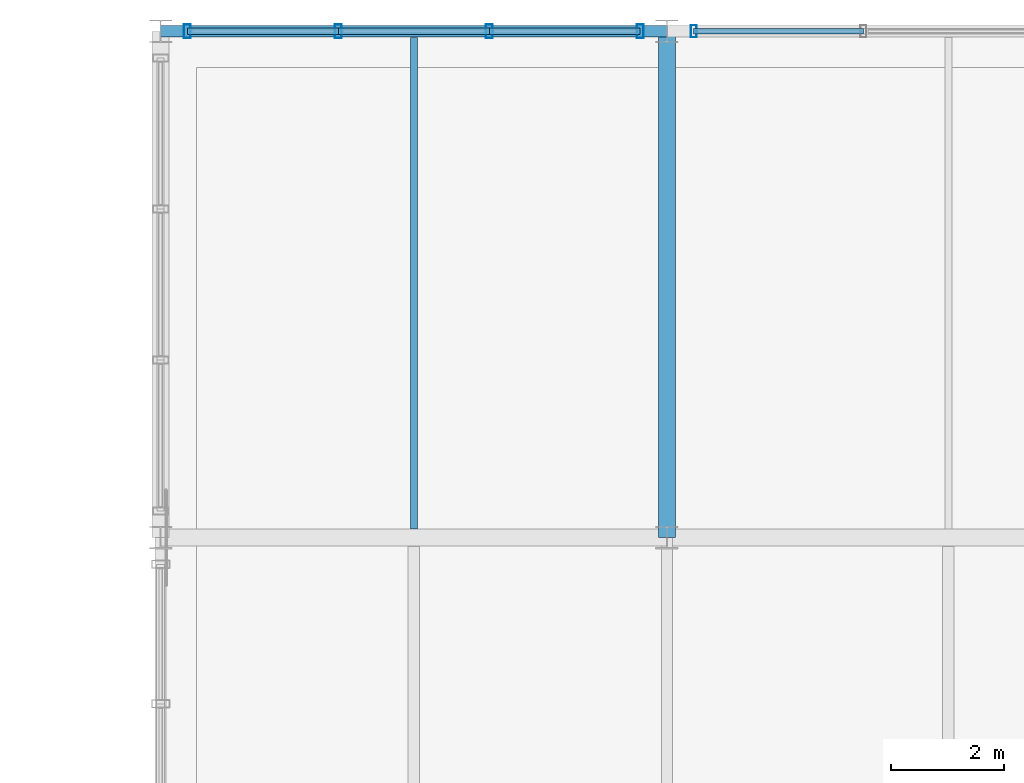
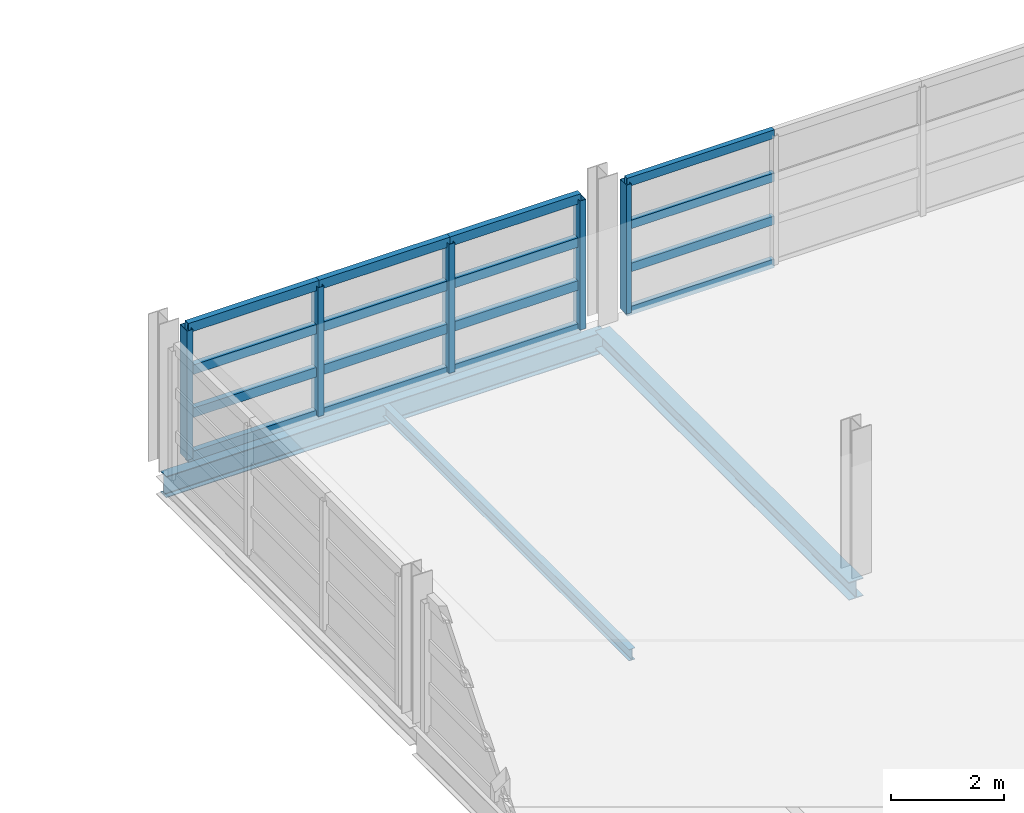
# One storey, part 30 of 86: 21 members, 3 beams, 2 elements without a shape of their own.
"""IFC4 building model written with IfcOpenShell, lengths in metres."""

from ifc_helpers import new_model, si_unit, direction, frame, origin, origin_2d, place, context, subcontext, project, spatial, hollow_rectangle, i_section, extrude, material, material_profile, profile_set, type_object, element, aggregate, save


model = new_model("IFC4")

# Units and contexts
model_context = context("Model", 3, precision=1e-05, world=origin(), true_north=direction((0.0, 1.0)))
body_context = subcontext(model_context, "Body", "Model", "MODEL_VIEW")
ifc_project = project(units=[si_unit("LENGTHUNIT", "METRE"), si_unit("AREAUNIT", "SQUARE_METRE"), si_unit("VOLUMEUNIT", "CUBIC_METRE"), si_unit("PLANEANGLEUNIT", "RADIAN"), si_unit("MASSUNIT", "GRAM", prefix="KILO")], contexts=[model_context])

# Site, building, storey
site_placement = place(None, origin())
site = spatial("IfcSite", under=ifc_project, at=site_placement, CompositionType="ELEMENT")
building_placement = place(site_placement, origin())
building = spatial("IfcBuilding", under=site, at=building_placement, Name="Chuanluo Vaults Station", CompositionType="ELEMENT")
storey_placement = place(building_placement, frame((0.0, 0.0, 14.39990234375)))
storey = spatial("IfcBuildingStorey", under=building, at=storey_placement, Name="L03", CompositionType="ELEMENT", Elevation=14.39990234375)

# Beams
ifc_material_1 = material(Name="Steel Q355C", Category="steel")
ifc_material_profile_1 = material_profile(ifc_material_1, i_section(OverallWidth=0.300048828125, OverallDepth=0.389892578125, WebThickness=0.010009765625, FlangeThickness=0.01611328125, FilletRadius=0.02001953125, at=origin_2d()))
ifc_profile_set_1 = profile_set([ifc_material_profile_1], Name="Steel Q355C")
beam_type_1 = type_object("IfcBeamType", Name="BM-GRD-400", PredefinedType="BEAM", material=ifc_profile_set_1)
beam_1_placement = place(storey_placement, frame((126.0, 117.0, -0.414794921875), z_axis=(0.0, 1.0, 0.0), x_axis=(-1.0, 0.0, 0.0)))
element("IfcBeam", 1, at=beam_1_placement, inside=storey, type_object=beam_type_1, Name="Floor girder BM:GY:L03:0779", PredefinedType="BEAM", context=body_context, shape_type="SweptSolid", body=[
    extrude(i_section(OverallWidth=0.300048828125, OverallDepth=0.389892578125, WebThickness=0.010009765625, FlangeThickness=0.01611328125, FilletRadius=0.02001953125, at=origin_2d()), origin(), (0.0, 0.0, 1.0), 9.0),
])
ifc_material_2 = material(Name="Steel Q355C", Category="steel")
ifc_material_profile_2 = material_profile(ifc_material_2, i_section(OverallWidth=0.125, OverallDepth=0.25, WebThickness=0.006103515625, FlangeThickness=0.009033203125, FilletRadius=0.011962890625, at=origin_2d()))
ifc_profile_set_2 = profile_set([ifc_material_profile_2], Name="Steel Q355C")
beam_type_2 = type_object("IfcBeamType", Name="BM-SEC-250", PredefinedType="JOIST", material=ifc_profile_set_2)
beam_2_placement = place(storey_placement, frame((121.5, 117.155029296875, -0.344970703125), z_axis=(0.0, 1.0, 0.0), x_axis=(-1.0, 0.0, 0.0)))
element("IfcBeam", 2, at=beam_2_placement, inside=storey, type_object=beam_type_2, Name="Composite secondary joist 0229", PredefinedType="JOIST", context=body_context, shape_type="SweptSolid", body=[
    extrude(i_section(OverallWidth=0.125, OverallDepth=0.25, WebThickness=0.006103515625, FlangeThickness=0.009033203125, FilletRadius=0.011962890625, at=origin_2d()), origin(), (0.0, 0.0, 1.0), 8.737548828125),
])
ifc_material_3 = material(Name="Steel Q355C", Category="steel")
ifc_material_profile_3 = material_profile(ifc_material_3, i_section(OverallWidth=0.205078125, OverallDepth=0.4599609375, WebThickness=0.009033203125, FlangeThickness=0.013916015625, FilletRadius=0.01611328125, at=origin_2d()))
ifc_profile_set_3 = profile_set([ifc_material_profile_3], Name="Steel Q355C")
beam_type_3 = type_object("IfcBeamType", Name="BM-SPN-450", PredefinedType="SPANDREL", material=ifc_profile_set_3)
beam_3_placement = place(storey_placement, frame((117.0, 126.0, -0.449951171875), z_axis=(1.0, 0.0, 0.0), x_axis=(0.0, 1.0, 0.0)))
element("IfcBeam", 3, at=beam_3_placement, inside=storey, type_object=beam_type_3, Name="Floor girder BM:GX:L03:0768", PredefinedType="SPANDREL", context=body_context, shape_type="SweptSolid", body=[
    extrude(i_section(OverallWidth=0.205078125, OverallDepth=0.4599609375, WebThickness=0.009033203125, FlangeThickness=0.013916015625, FilletRadius=0.01611328125, at=origin_2d()), origin(), (0.0, 0.0, 1.0), 9.0),
])

# Curtain wall, member
ifc_material_4 = material(Name="Anodised aluminium 6063-T6", Category="aluminium")
curtain_wall_type_1 = type_object("IfcCurtainWallType", Name="CW-SYS-04", PredefinedType="NOTDEFINED", material=ifc_material_4)
curtain_wall_1_placement = place(storey_placement, origin())
curtain_wall_1 = element("IfcCurtainWall", 4, at=curtain_wall_1_placement, inside=storey, type_object=curtain_wall_type_1, Name="Operations L03 facade CW", PredefinedType="NOTDEFINED")
ifc_material_5 = material(Name="Anodised aluminium 6063-T6", Category="aluminium")
ifc_material_profile_4 = material_profile(ifc_material_5, hollow_rectangle(XDim=0.10498046875, YDim=0.219970703125, WallThickness=0.006103515625, at=origin_2d()))
ifc_profile_set_4 = profile_set([ifc_material_profile_4], Name="Anodised aluminium 6063-T6")
member_type_1 = type_object("IfcMemberType", Name="CWM-140", PredefinedType="MULLION", material=ifc_profile_set_4)
member_1_placement = place(storey_placement, frame((126.47509765625, 126.0, 0.0), z_axis=(0.0, 0.0, 1.0), x_axis=(1.0, 0.0, 0.0)))
member_1 = element("IfcMember", 5, at=member_1_placement, type_object=member_type_1, Name="Operations L03 facade CW mullion 1", PredefinedType="MULLION", context=body_context, shape_type="SweptSolid", body=[
    extrude(hollow_rectangle(XDim=0.10498046875, YDim=0.219970703125, WallThickness=0.006103515625, at=origin_2d()), origin(), (0.0, 0.0, 1.0), 2.800048828125),
])

# Curtain wall, members
ifc_material_6 = material(Name="Anodised aluminium 6063-T6", Category="aluminium")
curtain_wall_type_2 = type_object("IfcCurtainWallType", Name="CW-SYS-03", PredefinedType="NOTDEFINED", material=ifc_material_6)
curtain_wall_2_placement = place(storey_placement, origin())
curtain_wall_2 = element("IfcCurtainWall", 6, at=curtain_wall_2_placement, inside=storey, type_object=curtain_wall_type_2, Name="Operations L03 facade CW", PredefinedType="NOTDEFINED")
ifc_material_7 = material(Name="Anodised aluminium 6063-T6", Category="aluminium")
ifc_material_profile_5 = material_profile(ifc_material_7, hollow_rectangle(XDim=0.1201171875, YDim=0.25, WallThickness=0.006103515625, at=origin_2d()))
ifc_profile_set_5 = profile_set([ifc_material_profile_5], Name="Anodised aluminium 6063-T6")
member_type_2 = type_object("IfcMemberType", Name="CWM-160", PredefinedType="MULLION", material=ifc_profile_set_5)
member_2_placement = place(storey_placement, frame((117.47509765625, 126.0, 0.0), z_axis=(0.0, 0.0, 1.0), x_axis=(1.0, 0.0, 0.0)))
member_2 = element("IfcMember", 7, at=member_2_placement, type_object=member_type_2, Name="Operations L03 facade CW mullion 1", PredefinedType="MULLION", context=body_context, shape_type="SweptSolid", body=[
    extrude(hollow_rectangle(XDim=0.1201171875, YDim=0.25, WallThickness=0.006103515625, at=origin_2d()), origin(), (0.0, 0.0, 1.0), 2.800048828125),
])
member_3_placement = place(storey_placement, frame((120.158203125, 126.0, 0.0), z_axis=(0.0, 0.0, 1.0), x_axis=(1.0, 0.0, 0.0)))
member_3 = element("IfcMember", 8, at=member_3_placement, type_object=member_type_2, Name="Operations L03 facade CW mullion 2", PredefinedType="MULLION", context=body_context, shape_type="SweptSolid", body=[
    extrude(hollow_rectangle(XDim=0.1201171875, YDim=0.25, WallThickness=0.006103515625, at=origin_2d()), origin(), (0.0, 0.0, 1.0), 2.800048828125),
])
member_4_placement = place(storey_placement, frame((122.841796875, 126.0, 0.0), z_axis=(0.0, 0.0, 1.0), x_axis=(1.0, 0.0, 0.0)))
member_4 = element("IfcMember", 9, at=member_4_placement, type_object=member_type_2, Name="Operations L03 facade CW mullion 3", PredefinedType="MULLION", context=body_context, shape_type="SweptSolid", body=[
    extrude(hollow_rectangle(XDim=0.1201171875, YDim=0.25, WallThickness=0.006103515625, at=origin_2d()), origin(), (0.0, 0.0, 1.0), 2.800048828125),
])
member_5_placement = place(storey_placement, frame((125.52490234375, 126.0, 0.0), z_axis=(0.0, 0.0, 1.0), x_axis=(1.0, 0.0, 0.0)))
member_5 = element("IfcMember", 10, at=member_5_placement, type_object=member_type_2, Name="Operations L03 facade CW mullion 4", PredefinedType="MULLION", context=body_context, shape_type="SweptSolid", body=[
    extrude(hollow_rectangle(XDim=0.1201171875, YDim=0.25, WallThickness=0.006103515625, at=origin_2d()), origin(), (0.0, 0.0, 1.0), 2.800048828125),
])

# Member
ifc_material_8 = material(Name="Anodised aluminium 6063-T6", Category="aluminium")
ifc_material_profile_6 = material_profile(ifc_material_8, hollow_rectangle(XDim=0.10498046875, YDim=0.18505859375, WallThickness=0.0048828125, at=origin_2d()))
ifc_profile_set_6 = profile_set([ifc_material_profile_6], Name="Anodised aluminium 6063-T6")
member_type_3 = type_object("IfcMemberType", Name="CWT-110", PredefinedType="USERDEFINED", material=ifc_profile_set_6)
member_6_placement = place(storey_placement, frame((126.47509765625, 126.0, 0.0), z_axis=(1.0, 0.0, 0.0), x_axis=(0.0, 1.0, 0.0)))
member_6 = element("IfcMember", 11, at=member_6_placement, type_object=member_type_3, Name="Operations L03 facade CW transom 1.1", ObjectType="TRANSOM", PredefinedType="USERDEFINED", context=body_context, shape_type="SweptSolid", body=[
    extrude(hollow_rectangle(XDim=0.10498046875, YDim=0.18505859375, WallThickness=0.0048828125, at=origin_2d()), origin(), (0.0, 0.0, 1.0), 3.0166015625),
])

member_7_placement = place(storey_placement, frame((126.47509765625, 126.0, 0.933349609375), z_axis=(1.0, 0.0, 0.0), x_axis=(0.0, 1.0, 0.0)))
member_7 = element("IfcMember", 12, at=member_7_placement, type_object=member_type_3, Name="Operations L03 facade CW transom 1.2", ObjectType="TRANSOM", PredefinedType="USERDEFINED", context=body_context, shape_type="SweptSolid", body=[
    extrude(hollow_rectangle(XDim=0.10498046875, YDim=0.18505859375, WallThickness=0.0048828125, at=origin_2d()), origin(), (0.0, 0.0, 1.0), 3.0166015625),
])

member_8_placement = place(storey_placement, frame((126.47509765625, 126.0, 1.86669921875), z_axis=(1.0, 0.0, 0.0), x_axis=(0.0, 1.0, 0.0)))
member_8 = element("IfcMember", 13, at=member_8_placement, type_object=member_type_3, Name="Operations L03 facade CW transom 1.3", ObjectType="TRANSOM", PredefinedType="USERDEFINED", context=body_context, shape_type="SweptSolid", body=[
    extrude(hollow_rectangle(XDim=0.10498046875, YDim=0.18505859375, WallThickness=0.0048828125, at=origin_2d()), origin(), (0.0, 0.0, 1.0), 3.0166015625),
])

member_9_placement = place(storey_placement, frame((126.47509765625, 126.0, 2.800048828125), z_axis=(1.0, 0.0, 0.0), x_axis=(0.0, 1.0, 0.0)))
member_9 = element("IfcMember", 14, at=member_9_placement, type_object=member_type_3, Name="Operations L03 facade CW transom 1.4", ObjectType="TRANSOM", PredefinedType="USERDEFINED", context=body_context, shape_type="SweptSolid", body=[
    extrude(hollow_rectangle(XDim=0.10498046875, YDim=0.18505859375, WallThickness=0.0048828125, at=origin_2d()), origin(), (0.0, 0.0, 1.0), 3.0166015625),
])

aggregate(curtain_wall_1, [member_1, member_6, member_7, member_8, member_9])

ifc_material_9 = material(Name="Anodised aluminium 6063-T6", Category="aluminium")
ifc_material_profile_7 = material_profile(ifc_material_9, hollow_rectangle(XDim=0.1201171875, YDim=0.205078125, WallThickness=0.006103515625, at=origin_2d()))
ifc_profile_set_7 = profile_set([ifc_material_profile_7], Name="Anodised aluminium 6063-T6")
member_type_4 = type_object("IfcMemberType", Name="CWT-130", PredefinedType="USERDEFINED", material=ifc_profile_set_7)
member_10_placement = place(storey_placement, frame((117.47509765625, 126.0, 0.0), z_axis=(1.0, 0.0, 0.0), x_axis=(0.0, 1.0, 0.0)))
member_10 = element("IfcMember", 15, at=member_10_placement, type_object=member_type_4, Name="Operations L03 facade CW transom 1.1", ObjectType="TRANSOM", PredefinedType="USERDEFINED", context=body_context, shape_type="SweptSolid", body=[
    extrude(hollow_rectangle(XDim=0.1201171875, YDim=0.205078125, WallThickness=0.006103515625, at=origin_2d()), origin(), (0.0, 0.0, 1.0), 2.68310546875),
])

member_11_placement = place(storey_placement, frame((117.47509765625, 126.0, 0.933349609375), z_axis=(1.0, 0.0, 0.0), x_axis=(0.0, 1.0, 0.0)))
member_11 = element("IfcMember", 16, at=member_11_placement, type_object=member_type_4, Name="Operations L03 facade CW transom 1.2", ObjectType="TRANSOM", PredefinedType="USERDEFINED", context=body_context, shape_type="SweptSolid", body=[
    extrude(hollow_rectangle(XDim=0.1201171875, YDim=0.205078125, WallThickness=0.006103515625, at=origin_2d()), origin(), (0.0, 0.0, 1.0), 2.68310546875),
])

member_12_placement = place(storey_placement, frame((117.47509765625, 126.0, 1.86669921875), z_axis=(1.0, 0.0, 0.0), x_axis=(0.0, 1.0, 0.0)))
member_12 = element("IfcMember", 17, at=member_12_placement, type_object=member_type_4, Name="Operations L03 facade CW transom 1.3", ObjectType="TRANSOM", PredefinedType="USERDEFINED", context=body_context, shape_type="SweptSolid", body=[
    extrude(hollow_rectangle(XDim=0.1201171875, YDim=0.205078125, WallThickness=0.006103515625, at=origin_2d()), origin(), (0.0, 0.0, 1.0), 2.68310546875),
])

member_13_placement = place(storey_placement, frame((117.47509765625, 126.0, 2.800048828125), z_axis=(1.0, 0.0, 0.0), x_axis=(0.0, 1.0, 0.0)))
member_13 = element("IfcMember", 18, at=member_13_placement, type_object=member_type_4, Name="Operations L03 facade CW transom 1.4", ObjectType="TRANSOM", PredefinedType="USERDEFINED", context=body_context, shape_type="SweptSolid", body=[
    extrude(hollow_rectangle(XDim=0.1201171875, YDim=0.205078125, WallThickness=0.006103515625, at=origin_2d()), origin(), (0.0, 0.0, 1.0), 2.68310546875),
])

member_14_placement = place(storey_placement, frame((120.158203125, 126.0, 0.0), z_axis=(1.0, 0.0, 0.0), x_axis=(0.0, 1.0, 0.0)))
member_14 = element("IfcMember", 19, at=member_14_placement, type_object=member_type_4, Name="Operations L03 facade CW transom 2.1", ObjectType="TRANSOM", PredefinedType="USERDEFINED", context=body_context, shape_type="SweptSolid", body=[
    extrude(hollow_rectangle(XDim=0.1201171875, YDim=0.205078125, WallThickness=0.006103515625, at=origin_2d()), origin(), (0.0, 0.0, 1.0), 2.68359375),
])

member_15_placement = place(storey_placement, frame((120.158203125, 126.0, 0.933349609375), z_axis=(1.0, 0.0, 0.0), x_axis=(0.0, 1.0, 0.0)))
member_15 = element("IfcMember", 20, at=member_15_placement, type_object=member_type_4, Name="Operations L03 facade CW transom 2.2", ObjectType="TRANSOM", PredefinedType="USERDEFINED", context=body_context, shape_type="SweptSolid", body=[
    extrude(hollow_rectangle(XDim=0.1201171875, YDim=0.205078125, WallThickness=0.006103515625, at=origin_2d()), origin(), (0.0, 0.0, 1.0), 2.68359375),
])

member_16_placement = place(storey_placement, frame((120.158203125, 126.0, 1.86669921875), z_axis=(1.0, 0.0, 0.0), x_axis=(0.0, 1.0, 0.0)))
member_16 = element("IfcMember", 21, at=member_16_placement, type_object=member_type_4, Name="Operations L03 facade CW transom 2.3", ObjectType="TRANSOM", PredefinedType="USERDEFINED", context=body_context, shape_type="SweptSolid", body=[
    extrude(hollow_rectangle(XDim=0.1201171875, YDim=0.205078125, WallThickness=0.006103515625, at=origin_2d()), origin(), (0.0, 0.0, 1.0), 2.68359375),
])

member_17_placement = place(storey_placement, frame((120.158203125, 126.0, 2.800048828125), z_axis=(1.0, 0.0, 0.0), x_axis=(0.0, 1.0, 0.0)))
member_17 = element("IfcMember", 22, at=member_17_placement, type_object=member_type_4, Name="Operations L03 facade CW transom 2.4", ObjectType="TRANSOM", PredefinedType="USERDEFINED", context=body_context, shape_type="SweptSolid", body=[
    extrude(hollow_rectangle(XDim=0.1201171875, YDim=0.205078125, WallThickness=0.006103515625, at=origin_2d()), origin(), (0.0, 0.0, 1.0), 2.68359375),
])

member_18_placement = place(storey_placement, frame((122.841796875, 126.0, 0.0), z_axis=(1.0, 0.0, 0.0), x_axis=(0.0, 1.0, 0.0)))
member_18 = element("IfcMember", 23, at=member_18_placement, type_object=member_type_4, Name="Operations L03 facade CW transom 3.1", ObjectType="TRANSOM", PredefinedType="USERDEFINED", context=body_context, shape_type="SweptSolid", body=[
    extrude(hollow_rectangle(XDim=0.1201171875, YDim=0.205078125, WallThickness=0.006103515625, at=origin_2d()), origin(), (0.0, 0.0, 1.0), 2.68310546875),
])

member_19_placement = place(storey_placement, frame((122.841796875, 126.0, 0.933349609375), z_axis=(1.0, 0.0, 0.0), x_axis=(0.0, 1.0, 0.0)))
member_19 = element("IfcMember", 24, at=member_19_placement, type_object=member_type_4, Name="Operations L03 facade CW transom 3.2", ObjectType="TRANSOM", PredefinedType="USERDEFINED", context=body_context, shape_type="SweptSolid", body=[
    extrude(hollow_rectangle(XDim=0.1201171875, YDim=0.205078125, WallThickness=0.006103515625, at=origin_2d()), origin(), (0.0, 0.0, 1.0), 2.68310546875),
])

member_20_placement = place(storey_placement, frame((122.841796875, 126.0, 1.86669921875), z_axis=(1.0, 0.0, 0.0), x_axis=(0.0, 1.0, 0.0)))
member_20 = element("IfcMember", 25, at=member_20_placement, type_object=member_type_4, Name="Operations L03 facade CW transom 3.3", ObjectType="TRANSOM", PredefinedType="USERDEFINED", context=body_context, shape_type="SweptSolid", body=[
    extrude(hollow_rectangle(XDim=0.1201171875, YDim=0.205078125, WallThickness=0.006103515625, at=origin_2d()), origin(), (0.0, 0.0, 1.0), 2.68310546875),
])

member_21_placement = place(storey_placement, frame((122.841796875, 126.0, 2.800048828125), z_axis=(1.0, 0.0, 0.0), x_axis=(0.0, 1.0, 0.0)))
member_21 = element("IfcMember", 26, at=member_21_placement, type_object=member_type_4, Name="Operations L03 facade CW transom 3.4", ObjectType="TRANSOM", PredefinedType="USERDEFINED", context=body_context, shape_type="SweptSolid", body=[
    extrude(hollow_rectangle(XDim=0.1201171875, YDim=0.205078125, WallThickness=0.006103515625, at=origin_2d()), origin(), (0.0, 0.0, 1.0), 2.68310546875),
])

aggregate(curtain_wall_2, [member_2, member_3, member_4, member_5, member_10, member_11, member_12, member_13, member_14, member_15, member_16, member_17, member_18, member_19, member_20, member_21])

save(model, "model.ifc")
